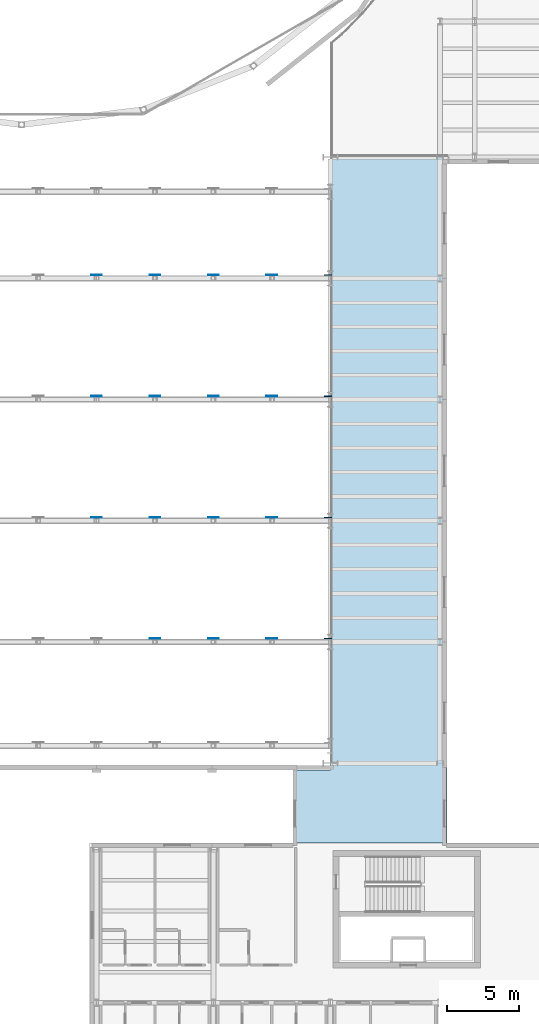
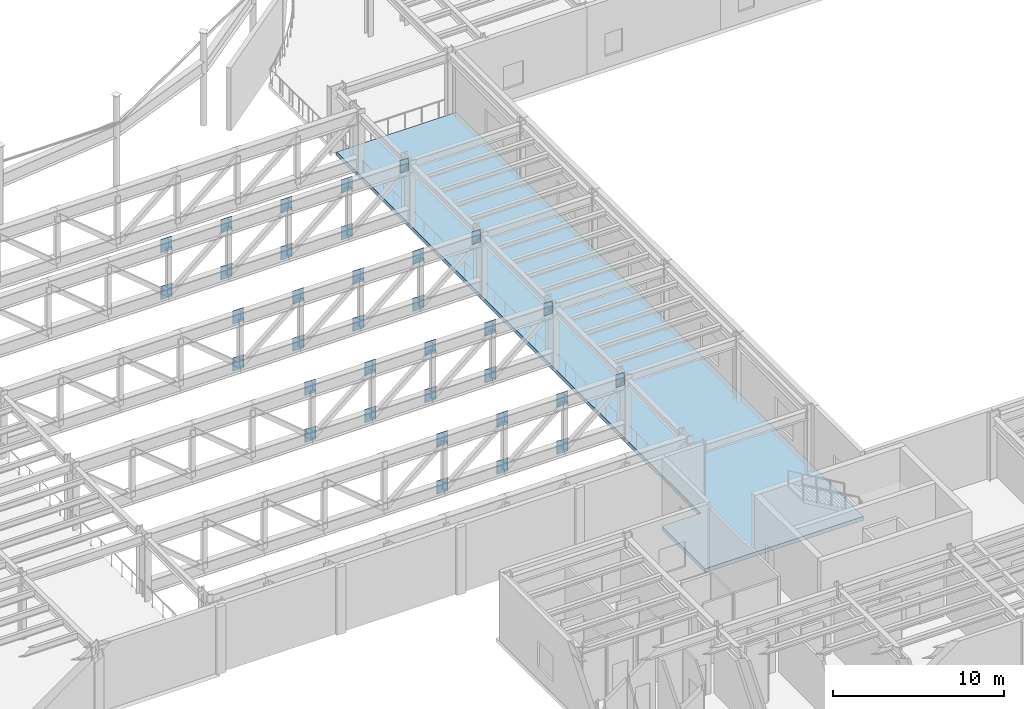
# One storey, part 55 of 91: 34 plates, 1 slab.
"""IFC4 building model written with IfcOpenShell, lengths in metres."""

from ifc_helpers import new_model, si_unit, direction, frame, origin, origin_2d, place, context, subcontext, project, spatial, polyline, rectangle, outline, extrude, material, layer, layer_set, type_object, element, save


model = new_model("IFC4")

# Units and contexts
model_context = context("Model", 3, precision=1e-05, world=origin(), true_north=direction((0.0, 1.0)))
body_context = subcontext(model_context, "Body", "Model", "MODEL_VIEW")
ifc_project = project(units=[si_unit("LENGTHUNIT", "METRE"), si_unit("AREAUNIT", "SQUARE_METRE"), si_unit("VOLUMEUNIT", "CUBIC_METRE"), si_unit("PLANEANGLEUNIT", "RADIAN"), si_unit("MASSUNIT", "GRAM", prefix="KILO")], contexts=[model_context])

# Site, building, storey
site_placement = place(None, origin())
site = spatial("IfcSite", under=ifc_project, at=site_placement, CompositionType="ELEMENT")
building_placement = place(site_placement, origin())
building = spatial("IfcBuilding", under=site, at=building_placement, Name="Sollismere Congress Hotel", CompositionType="ELEMENT")
storey_placement = place(building_placement, frame((0.0, 0.0, 10.800048828125)))
storey = spatial("IfcBuildingStorey", under=building, at=storey_placement, Name="L02", CompositionType="ELEMENT", Elevation=10.800048828125)

# Plates
ifc_material_1 = material(Name="Steel ASTM A572 Grade 50", Category="steel")
ifc_layer_1 = layer(ifc_material_1, 0.0400390625, Name="Steel ASTM A572 Grade 50")
ifc_layer_set_1 = layer_set([ifc_layer_1], Name="Steel ASTM A572 Grade 50")
plate_type = type_object("IfcPlateType", Name="PL-GS40", PredefinedType="USERDEFINED", material=ifc_layer_set_1)
for number, where, z_axis, x_axis, name in (
    (1, (38.25, 33.431884765625, 3.56005859375), (0.0, 0.0, 1.0), (1.0, 0.0, 0.0), "PLT-GS-TT2-5"),
    (2, (38.25, 33.431884765625, 0.2099609375), (0.0, 0.0, 1.0), (1.0, 0.0, 0.0), "PLT-GSB-TT2-5"),
    (3, (42.300048828125, 33.431884765625, 3.56005859375), (0.0, 0.0, 1.0), (1.0, 0.0, 0.0), "PLT-GS-TT2-6"),
    (4, (42.300048828125, 33.431884765625, 0.2099609375), (0.0, 0.0, 1.0), (1.0, 0.0, 0.0), "PLT-GSB-TT2-6"),
    (5, (46.35009765625, 33.431884765625, 3.56005859375), (0.0, 0.0, 1.0), (1.0, 0.0, 0.0), "PLT-GS-TT2-7"),
    (6, (46.35009765625, 33.431884765625, 0.2099609375), (0.0, 0.0, 1.0), (1.0, 0.0, 0.0), "PLT-GSB-TT2-7"),
):
    element("IfcPlate", number, at=place(storey_placement, frame(where, z_axis=z_axis, x_axis=x_axis)), inside=storey, type_object=plate_type, Name=name, ObjectType="GUSSET PLATE", PredefinedType="USERDEFINED", context=body_context, shape_type="SweptSolid", body=[
        extrude(rectangle(XDim=0.75, YDim=0.0400390625, at=origin_2d()), origin(), (0.0, 0.0, 1.0), 0.93994140625),
    ])
plate_1_placement = place(storey_placement, frame((50.239990234375, 33.431884765625, 3.590087890625), z_axis=(0.0, 0.0, 1.0), x_axis=(1.0, 0.0, 0.0)))
element("IfcPlate", 7, at=plate_1_placement, inside=storey, type_object=plate_type, Name="PLT-GSE-TT2-E", ObjectType="GUSSET PLATE", PredefinedType="USERDEFINED", context=body_context, shape_type="SweptSolid", body=[
    extrude(rectangle(XDim=0.550048828125, YDim=0.0400390625, at=origin_2d()), origin(), (0.0, 0.0, 1.0), 0.8798828125),
])
for number, where, z_axis, x_axis, name in (
    (8, (34.199951171875, 41.83203125, 3.56005859375), (0.0, 0.0, 1.0), (1.0, 0.0, 0.0), "PLT-GS-TT3-4"),
    (9, (34.199951171875, 41.83203125, 0.2099609375), (0.0, 0.0, 1.0), (1.0, 0.0, 0.0), "PLT-GSB-TT3-4"),
    (10, (38.25, 41.83203125, 3.56005859375), (0.0, 0.0, 1.0), (1.0, 0.0, 0.0), "PLT-GS-TT3-5"),
    (11, (38.25, 41.83203125, 0.2099609375), (0.0, 0.0, 1.0), (1.0, 0.0, 0.0), "PLT-GSB-TT3-5"),
    (12, (42.300048828125, 41.83203125, 3.56005859375), (0.0, 0.0, 1.0), (1.0, 0.0, 0.0), "PLT-GS-TT3-6"),
    (13, (42.300048828125, 41.83203125, 0.2099609375), (0.0, 0.0, 1.0), (1.0, 0.0, 0.0), "PLT-GSB-TT3-6"),
    (14, (46.35009765625, 41.83203125, 3.56005859375), (0.0, 0.0, 1.0), (1.0, 0.0, 0.0), "PLT-GS-TT3-7"),
    (15, (46.35009765625, 41.83203125, 0.2099609375), (0.0, 0.0, 1.0), (1.0, 0.0, 0.0), "PLT-GSB-TT3-7"),
):
    element("IfcPlate", number, at=place(storey_placement, frame(where, z_axis=z_axis, x_axis=x_axis)), inside=storey, type_object=plate_type, Name=name, ObjectType="GUSSET PLATE", PredefinedType="USERDEFINED", context=body_context, shape_type="SweptSolid", body=[
        extrude(rectangle(XDim=0.75, YDim=0.0400390625, at=origin_2d()), origin(), (0.0, 0.0, 1.0), 0.93994140625),
    ])
plate_2_placement = place(storey_placement, frame((50.239990234375, 41.83203125, 3.590087890625), z_axis=(0.0, 0.0, 1.0), x_axis=(1.0, 0.0, 0.0)))
element("IfcPlate", 16, at=plate_2_placement, inside=storey, type_object=plate_type, Name="PLT-GSE-TT3-E", ObjectType="GUSSET PLATE", PredefinedType="USERDEFINED", context=body_context, shape_type="SweptSolid", body=[
    extrude(rectangle(XDim=0.550048828125, YDim=0.0400390625, at=origin_2d()), origin(), (0.0, 0.0, 1.0), 0.8798828125),
])
for number, where, z_axis, x_axis, name in (
    (17, (34.199951171875, 50.23193359375, 3.56005859375), (0.0, 0.0, 1.0), (1.0, 0.0, 0.0), "PLT-GS-TT4-4"),
    (18, (34.199951171875, 50.23193359375, 0.2099609375), (0.0, 0.0, 1.0), (1.0, 0.0, 0.0), "PLT-GSB-TT4-4"),
    (19, (38.25, 50.23193359375, 3.56005859375), (0.0, 0.0, 1.0), (1.0, 0.0, 0.0), "PLT-GS-TT4-5"),
    (20, (38.25, 50.23193359375, 0.2099609375), (0.0, 0.0, 1.0), (1.0, 0.0, 0.0), "PLT-GSB-TT4-5"),
    (21, (42.300048828125, 50.23193359375, 3.56005859375), (0.0, 0.0, 1.0), (1.0, 0.0, 0.0), "PLT-GS-TT4-6"),
    (22, (42.300048828125, 50.23193359375, 0.2099609375), (0.0, 0.0, 1.0), (1.0, 0.0, 0.0), "PLT-GSB-TT4-6"),
    (23, (46.35009765625, 50.23193359375, 3.56005859375), (0.0, 0.0, 1.0), (1.0, 0.0, 0.0), "PLT-GS-TT4-7"),
    (24, (46.35009765625, 50.23193359375, 0.2099609375), (0.0, 0.0, 1.0), (1.0, 0.0, 0.0), "PLT-GSB-TT4-7"),
):
    element("IfcPlate", number, at=place(storey_placement, frame(where, z_axis=z_axis, x_axis=x_axis)), inside=storey, type_object=plate_type, Name=name, ObjectType="GUSSET PLATE", PredefinedType="USERDEFINED", context=body_context, shape_type="SweptSolid", body=[
        extrude(rectangle(XDim=0.75, YDim=0.0400390625, at=origin_2d()), origin(), (0.0, 0.0, 1.0), 0.93994140625),
    ])
plate_3_placement = place(storey_placement, frame((50.239990234375, 50.23193359375, 3.590087890625), z_axis=(0.0, 0.0, 1.0), x_axis=(1.0, 0.0, 0.0)))
element("IfcPlate", 25, at=plate_3_placement, inside=storey, type_object=plate_type, Name="PLT-GSE-TT4-E", ObjectType="GUSSET PLATE", PredefinedType="USERDEFINED", context=body_context, shape_type="SweptSolid", body=[
    extrude(rectangle(XDim=0.550048828125, YDim=0.0400390625, at=origin_2d()), origin(), (0.0, 0.0, 1.0), 0.8798828125),
])
for number, where, z_axis, x_axis, name in (
    (26, (34.199951171875, 58.632080078125, 3.56005859375), (0.0, 0.0, 1.0), (1.0, 0.0, 0.0), "PLT-GS-TT5-4"),
    (27, (34.199951171875, 58.632080078125, 0.2099609375), (0.0, 0.0, 1.0), (1.0, 0.0, 0.0), "PLT-GSB-TT5-4"),
    (28, (38.25, 58.632080078125, 3.56005859375), (0.0, 0.0, 1.0), (1.0, 0.0, 0.0), "PLT-GS-TT5-5"),
    (29, (38.25, 58.632080078125, 0.2099609375), (0.0, 0.0, 1.0), (1.0, 0.0, 0.0), "PLT-GSB-TT5-5"),
    (30, (42.300048828125, 58.632080078125, 3.56005859375), (0.0, 0.0, 1.0), (1.0, 0.0, 0.0), "PLT-GS-TT5-6"),
    (31, (42.300048828125, 58.632080078125, 0.2099609375), (0.0, 0.0, 1.0), (1.0, 0.0, 0.0), "PLT-GSB-TT5-6"),
    (32, (46.35009765625, 58.632080078125, 3.56005859375), (0.0, 0.0, 1.0), (1.0, 0.0, 0.0), "PLT-GS-TT5-7"),
    (33, (46.35009765625, 58.632080078125, 0.2099609375), (0.0, 0.0, 1.0), (1.0, 0.0, 0.0), "PLT-GSB-TT5-7"),
):
    element("IfcPlate", number, at=place(storey_placement, frame(where, z_axis=z_axis, x_axis=x_axis)), inside=storey, type_object=plate_type, Name=name, ObjectType="GUSSET PLATE", PredefinedType="USERDEFINED", context=body_context, shape_type="SweptSolid", body=[
        extrude(rectangle(XDim=0.75, YDim=0.0400390625, at=origin_2d()), origin(), (0.0, 0.0, 1.0), 0.93994140625),
    ])
plate_4_placement = place(storey_placement, frame((50.239990234375, 58.632080078125, 3.590087890625), z_axis=(0.0, 0.0, 1.0), x_axis=(1.0, 0.0, 0.0)))
element("IfcPlate", 34, at=plate_4_placement, inside=storey, type_object=plate_type, Name="PLT-GSE-TT5-E", ObjectType="GUSSET PLATE", PredefinedType="USERDEFINED", context=body_context, shape_type="SweptSolid", body=[
    extrude(rectangle(XDim=0.550048828125, YDim=0.0400390625, at=origin_2d()), origin(), (0.0, 0.0, 1.0), 0.8798828125),
])

# Slab
ifc_material_2 = material(Name="Concrete C40/50", Category="concrete")
ifc_layer_2 = layer(ifc_material_2, 0.280029296875, Name="Concrete C40/50")
ifc_layer_set_2 = layer_set([ifc_layer_2], Name="Concrete C40/50")
slab_type = type_object("IfcSlabType", Name="SL-FLR280", PredefinedType="FLOOR", material=ifc_layer_set_2)
slab_placement = place(storey_placement, frame((0.0, 0.0, -0.280029296875)))
element("IfcSlab", 35, at=slab_placement, inside=storey, type_object=slab_type, Name="Slab SL-L02-V3A", PredefinedType="FLOOR", context=body_context, shape_type="SweptSolid", body=[
    extrude(outline(polyline([(47.800048828125, 19.280029296875), (58.47998046875, 19.280029296875), (58.47998046875, 24.320068359375), (58.47998046875, 66.320068359375), (58.47998046875, 66.800048828125), (58.0, 66.800048828125), (50.39990234375, 66.800048828125), (50.39990234375, 24.320068359375), (47.800048828125, 24.320068359375), (47.800048828125, 19.280029296875)])), origin(), (0.0, 0.0, 1.0), 0.280029296875),
])

save(model, "model.ifc")
